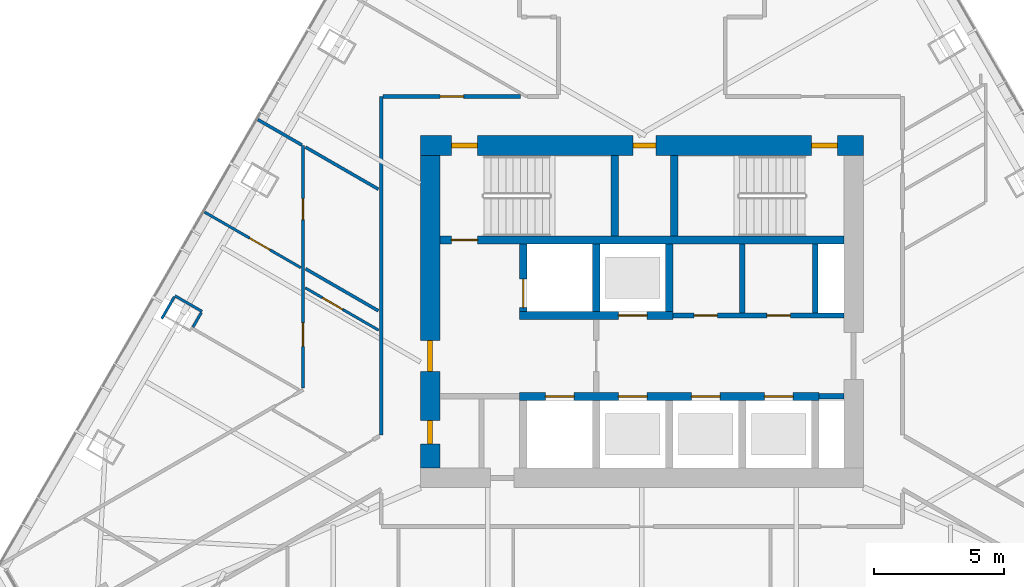
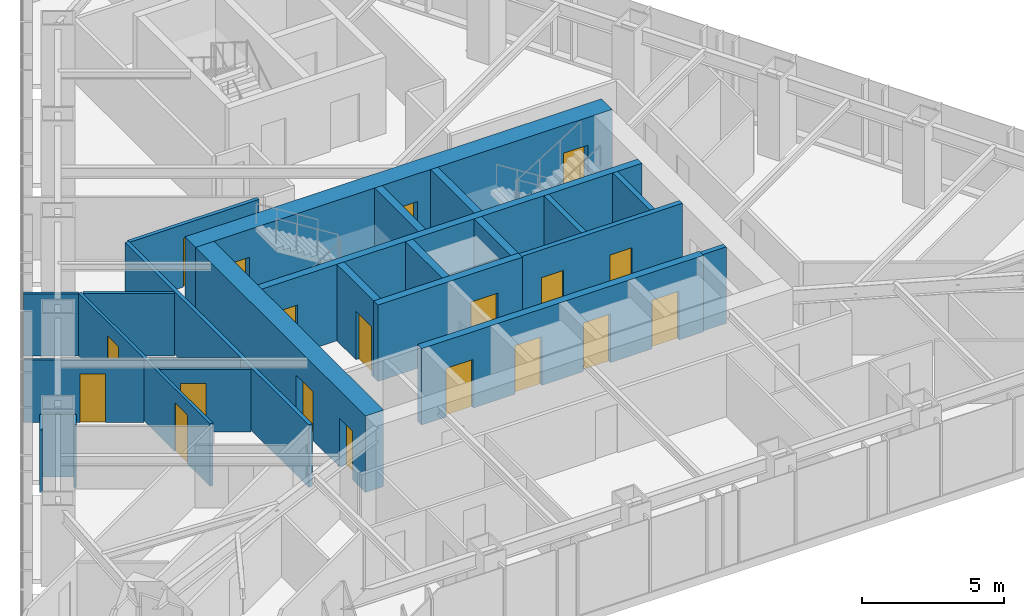
# One storey, part 11 of 15: 25 walls, 19 doors, 19 openings.
"""IFC4 building model written with IfcOpenShell, lengths in metres."""

from ifc_helpers import new_model, si_unit, direction, frame, frame_2d, origin, place, context, subcontext, project, spatial, rectangle, extrude, material, layer, layer_set, type_object, element, fill, save


model = new_model("IFC4")

# Units and contexts
model_context = context("Model", 3, precision=1e-05, world=origin(), true_north=direction((0.0, 1.0)))
body_context = subcontext(model_context, "Body", "Model", "MODEL_VIEW")
ifc_project = project(units=[si_unit("LENGTHUNIT", "METRE"), si_unit("AREAUNIT", "SQUARE_METRE"), si_unit("VOLUMEUNIT", "CUBIC_METRE"), si_unit("PLANEANGLEUNIT", "RADIAN"), si_unit("MASSUNIT", "GRAM", prefix="KILO")], contexts=[model_context])

# Site, building, storey
site_placement = place(None, origin())
site = spatial("IfcSite", under=ifc_project, at=site_placement, CompositionType="ELEMENT")
building_placement = place(site_placement, origin())
building = spatial("IfcBuilding", under=site, at=building_placement, Name="Firuza Gate Tower and Library", CompositionType="ELEMENT")
storey_placement = place(building_placement, frame((0.0, 0.0, 309.10009765625)))
storey = spatial("IfcBuildingStorey", under=building, at=storey_placement, Name="L75", CompositionType="ELEMENT", Elevation=309.10009765625)

# Wall
ifc_material_1 = material(Name="Plasterboard on steel studs", Category="steel")
ifc_layer_1 = layer(ifc_material_1, 0.199951171875)
ifc_layer_set_1 = layer_set([ifc_layer_1], Name="Core partition 200 EI 120")
wall_type_1 = type_object("IfcWallType", Name="Core partition 200 EI 120", PredefinedType="PARTITIONING", material=ifc_layer_set_1)
wall_1_placement = place(storey_placement, frame((81.800048828125, 71.75, 0.0), z_axis=(0.0, 0.0, 1.0), x_axis=(1.0, 0.0, 0.0)))
element("IfcWall", 1, at=wall_1_placement, inside=storey, type_object=wall_type_1, Name="Core partition L75 2", PredefinedType="PARTITIONING", context=body_context, shape_type="SweptSolid", body=[
    extrude(rectangle(XDim=0.949951171875, YDim=0.199951171875, at=frame_2d((0.47509765625, 0.0))), origin(), (0.0, 0.0, 1.0), 3.2998046875),
])

# Wall, openings, doors
wall_2_placement = place(storey_placement, frame((76.199951171875, 74.85009765625, 0.0), z_axis=(0.0, 0.0, 1.0), x_axis=(1.0, 0.0, 0.0)))
wall_2 = element("IfcWall", 2, at=wall_2_placement, inside=storey, type_object=wall_type_1, Name="Core partition L75 3", PredefinedType="PARTITIONING", context=body_context, shape_type="SweptSolid", body=[
    extrude(rectangle(XDim=6.550048828125, YDim=0.199951171875, at=frame_2d((3.27490234375, 0.0))), origin(), (0.0, 0.0, 1.0), 3.2998046875),
])
opening_1_placement = place(wall_2_placement, frame((0.800048828125, 0.0, 0.0)))
opening_1 = element("IfcOpeningElement", 3, at=opening_1_placement, cuts=wall_2, Name="Opening L75-K19", PredefinedType="OPENING", context=body_context, shape_type="SweptSolid", body=[
    extrude(rectangle(XDim=0.89990234375, YDim=2.10009765625, at=frame_2d((0.449951171875, 1.050048828125))), frame((0.0, 0.10986328125, 0.0), z_axis=(0.0, -1.0, 0.0), x_axis=(1.0, 0.0, 0.0)), (0.0, 0.0, 1.0), 0.219970703125),
])
opening_2_placement = place(wall_2_placement, frame((3.60009765625, 0.0, 0.0)))
opening_2 = element("IfcOpeningElement", 4, at=opening_2_placement, cuts=wall_2, Name="Opening L75-K20", PredefinedType="OPENING", context=body_context, shape_type="SweptSolid", body=[
    extrude(rectangle(XDim=0.89990234375, YDim=2.10009765625, at=frame_2d((0.449951171875, 1.050048828125))), frame((0.0, 0.10986328125, 0.0), z_axis=(0.0, -1.0, 0.0), x_axis=(1.0, 0.0, 0.0)), (0.0, 0.0, 1.0), 0.219970703125),
])
ifc_material_2 = material(Name="Steel", Category="steel")
door_type_1 = type_object("IfcDoorType", Name="Fire door 900x2100 FD30S", OperationType="NOTDEFINED", PredefinedType="DOOR", material=ifc_material_2)
door_1_placement = place(opening_1_placement, origin())
door_1 = element("IfcDoor", 5, at=door_1_placement, inside=storey, type_object=door_type_1, Name="Door L75-K19", OperationType="SINGLE_SWING_RIGHT", OverallHeight=2.10009765625, OverallWidth=0.89990234375, PredefinedType="DOOR", context=body_context, shape_type="SweptSolid", body=[
    extrude(rectangle(XDim=0.89990234375, YDim=2.10009765625, at=frame_2d((0.449951171875, 1.050048828125))), frame((0.0, 0.02490234375, 0.0), z_axis=(0.0, -1.0, 0.0), x_axis=(1.0, 0.0, 0.0)), (0.0, 0.0, 1.0), 0.050048828125),
])
fill(opening_1, door_1)
door_2_placement = place(opening_2_placement, origin())
door_2 = element("IfcDoor", 6, at=door_2_placement, inside=storey, type_object=door_type_1, Name="Door L75-K20", OperationType="SINGLE_SWING_LEFT", OverallHeight=2.10009765625, OverallWidth=0.89990234375, PredefinedType="DOOR", context=body_context, shape_type="SweptSolid", body=[
    extrude(rectangle(XDim=0.89990234375, YDim=2.10009765625, at=frame_2d((0.449951171875, 1.050048828125))), frame((0.0, 0.02490234375, 0.0), z_axis=(0.0, -1.0, 0.0), x_axis=(1.0, 0.0, 0.0)), (0.0, 0.0, 1.0), 0.050048828125),
])
fill(opening_2, door_2)

# Walls
for number, where, z_axis, x_axis, name in (
    (7, (78.85009765625, 74.949951171875, 0.0), (0.0, 0.0, 1.0), (0.0, 1.0, 0.0), "Core partition L75 6"),
    (8, (81.64990234375, 74.949951171875, 0.0), (0.0, 0.0, 1.0), (0.0, 1.0, 0.0), "Core partition L75 7"),
):
    element("IfcWall", number, at=place(storey_placement, frame(where, z_axis=z_axis, x_axis=x_axis)), inside=storey, type_object=wall_type_1, Name=name, PredefinedType="PARTITIONING", context=body_context, shape_type="SweptSolid", body=[
        extrude(rectangle(XDim=2.650146484375, YDim=0.199951171875, at=frame_2d((1.3251953125, 0.0))), origin(), (0.0, 0.0, 1.0), 3.2998046875),
    ])

# Wall, openings, doors
ifc_material_3 = material(Name="Concrete C60/75", Category="concrete")
ifc_layer_2 = layer(ifc_material_3, 0.300048828125)
ifc_layer_set_2 = layer_set([ifc_layer_2], Name="Core wall 300 C60/75")
wall_type_2 = type_object("IfcWallType", Name="Core wall 300 C60/75", PredefinedType="SHEAR", material=ifc_layer_set_2)
wall_3_placement = place(storey_placement, frame((70.300048828125, 71.75, 0.0), z_axis=(0.0, 0.0, 1.0), x_axis=(1.0, 0.0, 0.0)))
wall_3 = element("IfcWall", 9, at=wall_3_placement, inside=storey, type_object=wall_type_2, Name="Core wall L75 5", PredefinedType="SHEAR", context=body_context, shape_type="SweptSolid", body=[
    extrude(rectangle(XDim=11.5, YDim=0.300048828125, at=frame_2d((5.75, 0.0))), origin(), (0.0, 0.0, 1.0), 3.2998046875),
])
opening_3_placement = place(wall_3_placement, frame((1.0, 0.0, 0.0)))
opening_3 = element("IfcOpeningElement", 10, at=opening_3_placement, cuts=wall_3, Name="Opening LD-FF1-L75", PredefinedType="OPENING", context=body_context, shape_type="SweptSolid", body=[
    extrude(rectangle(XDim=1.10009765625, YDim=2.10009765625, at=frame_2d((0.550048828125, 1.050048828125))), frame((0.0, 0.16015625, 0.0), z_axis=(0.0, -1.0, 0.0), x_axis=(1.0, 0.0, 0.0)), (0.0, 0.0, 1.0), 0.320068359375),
])
opening_4_placement = place(wall_3_placement, frame((3.800048828125, 0.0, 0.0)))
opening_4 = element("IfcOpeningElement", 11, at=opening_4_placement, cuts=wall_3, Name="Opening LD-HR1-L75", PredefinedType="OPENING", context=body_context, shape_type="SweptSolid", body=[
    extrude(rectangle(XDim=1.10009765625, YDim=2.10009765625, at=frame_2d((0.550048828125, 1.050048828125))), frame((0.0, 0.16015625, 0.0), z_axis=(0.0, -1.0, 0.0), x_axis=(1.0, 0.0, 0.0)), (0.0, 0.0, 1.0), 0.320068359375),
])
opening_5_placement = place(wall_3_placement, frame((6.60009765625, 0.0, 0.0)))
opening_5 = element("IfcOpeningElement", 12, at=opening_5_placement, cuts=wall_3, Name="Opening LD-HR2-L75", PredefinedType="OPENING", context=body_context, shape_type="SweptSolid", body=[
    extrude(rectangle(XDim=1.10009765625, YDim=2.10009765625, at=frame_2d((0.550048828125, 1.050048828125))), frame((0.0, 0.16015625, 0.0), z_axis=(0.0, -1.0, 0.0), x_axis=(1.0, 0.0, 0.0)), (0.0, 0.0, 1.0), 0.320068359375),
])
opening_6_placement = place(wall_3_placement, frame((9.39990234375, 0.0, 0.0)))
opening_6 = element("IfcOpeningElement", 13, at=opening_6_placement, cuts=wall_3, Name="Opening LD-HR3-L75", PredefinedType="OPENING", context=body_context, shape_type="SweptSolid", body=[
    extrude(rectangle(XDim=1.10009765625, YDim=2.10009765625, at=frame_2d((0.550048828125, 1.050048828125))), frame((0.0, 0.16015625, 0.0), z_axis=(0.0, -1.0, 0.0), x_axis=(1.0, 0.0, 0.0)), (0.0, 0.0, 1.0), 0.320068359375),
])
ifc_material_4 = material(Name="Stainless steel", Category="steel")
door_type_2 = type_object("IfcDoorType", Name="Lift landing door 1100x2100", OperationType="DOUBLE_DOOR_SLIDING", PredefinedType="DOOR", material=ifc_material_4)
door_3_placement = place(opening_3_placement, origin())
door_3 = element("IfcDoor", 14, at=door_3_placement, inside=storey, type_object=door_type_2, Name="Landing door FF1 L75", OperationType="DOUBLE_DOOR_SLIDING", OverallHeight=2.10009765625, OverallWidth=1.10009765625, PredefinedType="DOOR", context=body_context, shape_type="SweptSolid", body=[
    extrude(rectangle(XDim=1.10009765625, YDim=2.10009765625, at=frame_2d((0.550048828125, 1.050048828125))), frame((0.0, 0.02490234375, 0.0), z_axis=(0.0, -1.0, 0.0), x_axis=(1.0, 0.0, 0.0)), (0.0, 0.0, 1.0), 0.050048828125),
])
fill(opening_3, door_3)
door_4_placement = place(opening_4_placement, origin())
door_4 = element("IfcDoor", 15, at=door_4_placement, inside=storey, type_object=door_type_2, Name="Landing door HR1 L75", OperationType="DOUBLE_DOOR_SLIDING", OverallHeight=2.10009765625, OverallWidth=1.10009765625, PredefinedType="DOOR", context=body_context, shape_type="SweptSolid", body=[
    extrude(rectangle(XDim=1.10009765625, YDim=2.10009765625, at=frame_2d((0.550048828125, 1.050048828125))), frame((0.0, 0.02490234375, 0.0), z_axis=(0.0, -1.0, 0.0), x_axis=(1.0, 0.0, 0.0)), (0.0, 0.0, 1.0), 0.050048828125),
])
fill(opening_4, door_4)
door_5_placement = place(opening_5_placement, origin())
door_5 = element("IfcDoor", 16, at=door_5_placement, inside=storey, type_object=door_type_2, Name="Landing door HR2 L75", OperationType="DOUBLE_DOOR_SLIDING", OverallHeight=2.10009765625, OverallWidth=1.10009765625, PredefinedType="DOOR", context=body_context, shape_type="SweptSolid", body=[
    extrude(rectangle(XDim=1.10009765625, YDim=2.10009765625, at=frame_2d((0.550048828125, 1.050048828125))), frame((0.0, 0.02490234375, 0.0), z_axis=(0.0, -1.0, 0.0), x_axis=(1.0, 0.0, 0.0)), (0.0, 0.0, 1.0), 0.050048828125),
])
fill(opening_5, door_5)
door_6_placement = place(opening_6_placement, origin())
door_6 = element("IfcDoor", 17, at=door_6_placement, inside=storey, type_object=door_type_2, Name="Landing door HR3 L75", OperationType="DOUBLE_DOOR_SLIDING", OverallHeight=2.10009765625, OverallWidth=1.10009765625, PredefinedType="DOOR", context=body_context, shape_type="SweptSolid", body=[
    extrude(rectangle(XDim=1.10009765625, YDim=2.10009765625, at=frame_2d((0.550048828125, 1.050048828125))), frame((0.0, 0.02490234375, 0.0), z_axis=(0.0, -1.0, 0.0), x_axis=(1.0, 0.0, 0.0)), (0.0, 0.0, 1.0), 0.050048828125),
])
fill(opening_6, door_6)

# Wall, opening, door
wall_4_placement = place(storey_placement, frame((70.300048828125, 74.85009765625, 0.0), z_axis=(0.0, 0.0, 1.0), x_axis=(1.0, 0.0, 0.0)))
wall_4 = element("IfcWall", 18, at=wall_4_placement, inside=storey, type_object=wall_type_2, Name="Core wall L75 6", PredefinedType="SHEAR", context=body_context, shape_type="SweptSolid", body=[
    extrude(rectangle(XDim=5.89990234375, YDim=0.300048828125, at=frame_2d((2.949951171875, 0.0))), origin(), (0.0, 0.0, 1.0), 3.2998046875),
])
opening_7_placement = place(wall_4_placement, frame((3.800048828125, 0.0, 0.0)))
opening_7 = element("IfcOpeningElement", 19, at=opening_7_placement, cuts=wall_4, Name="Opening LD-HR4-L75", PredefinedType="OPENING", context=body_context, shape_type="SweptSolid", body=[
    extrude(rectangle(XDim=1.10009765625, YDim=2.10009765625, at=frame_2d((0.550048828125, 1.050048828125))), frame((0.0, 0.16015625, 0.0), z_axis=(0.0, -1.0, 0.0), x_axis=(1.0, 0.0, 0.0)), (0.0, 0.0, 1.0), 0.320068359375),
])
door_7_placement = place(opening_7_placement, origin())
door_7 = element("IfcDoor", 20, at=door_7_placement, inside=storey, type_object=door_type_2, Name="Landing door HR4 L75", OperationType="DOUBLE_DOOR_SLIDING", OverallHeight=2.10009765625, OverallWidth=1.10009765625, PredefinedType="DOOR", context=body_context, shape_type="SweptSolid", body=[
    extrude(rectangle(XDim=1.10009765625, YDim=2.10009765625, at=frame_2d((0.550048828125, 1.050048828125))), frame((0.0, 0.02490234375, 0.0), z_axis=(0.0, -1.0, 0.0), x_axis=(1.0, 0.0, 0.0)), (0.0, 0.0, 1.0), 0.050048828125),
])
fill(opening_7, door_7)

wall_5_placement = place(storey_placement, frame((70.449951171875, 75.0, 0.0), z_axis=(0.0, 0.0, 1.0), x_axis=(0.0, 1.0, 0.0)))
wall_5 = element("IfcWall", 21, at=wall_5_placement, inside=storey, type_object=wall_type_2, Name="Core wall L75 8", PredefinedType="SHEAR", context=body_context, shape_type="SweptSolid", body=[
    extrude(rectangle(XDim=2.60009765625, YDim=0.300048828125, at=frame_2d((1.300048828125, 0.0))), origin(), (0.0, 0.0, 1.0), 3.2998046875),
])
opening_8_placement = place(wall_5_placement, frame((0.14990234375, 0.0, 0.0)))
opening_8 = element("IfcOpeningElement", 22, at=opening_8_placement, cuts=wall_5, Name="Opening LD-FF2-L75", PredefinedType="OPENING", context=body_context, shape_type="SweptSolid", body=[
    extrude(rectangle(XDim=1.10009765625, YDim=2.10009765625, at=frame_2d((0.550048828125, 1.050048828125))), frame((0.0, 0.16015625, 0.0), z_axis=(0.0, -1.0, 0.0), x_axis=(1.0, 0.0, 0.0)), (0.0, 0.0, 1.0), 0.320068359375),
])
door_8_placement = place(opening_8_placement, origin())
door_8 = element("IfcDoor", 23, at=door_8_placement, inside=storey, type_object=door_type_2, Name="Landing door FF2 L75", OperationType="DOUBLE_DOOR_SLIDING", OverallHeight=2.10009765625, OverallWidth=1.10009765625, PredefinedType="DOOR", context=body_context, shape_type="SweptSolid", body=[
    extrude(rectangle(XDim=1.10009765625, YDim=2.10009765625, at=frame_2d((0.550048828125, 1.050048828125))), frame((0.0, 0.02490234375, 0.0), z_axis=(0.0, -1.0, 0.0), x_axis=(1.0, 0.0, 0.0)), (0.0, 0.0, 1.0), 0.050048828125),
])
fill(opening_8, door_8)

# Walls
for number, where, z_axis, x_axis, name in (
    (24, (73.25, 75.0, 0.0), (0.0, 0.0, 1.0), (0.0, 1.0, 0.0), "Core wall L75 10"),
    (25, (76.050048828125, 75.0, 0.0), (0.0, 0.0, 1.0), (0.0, 1.0, 0.0), "Core wall L75 12"),
):
    element("IfcWall", number, at=place(storey_placement, frame(where, z_axis=z_axis, x_axis=x_axis)), inside=storey, type_object=wall_type_2, Name=name, PredefinedType="SHEAR", context=body_context, shape_type="SweptSolid", body=[
        extrude(rectangle(XDim=2.60009765625, YDim=0.300048828125, at=frame_2d((1.300048828125, 0.0))), origin(), (0.0, 0.0, 1.0), 3.2998046875),
    ])

# Wall, opening, door
wall_6_placement = place(storey_placement, frame((67.25, 77.75, 0.0), z_axis=(0.0, 0.0, 1.0), x_axis=(1.0, 0.0, 0.0)))
wall_6 = element("IfcWall", 26, at=wall_6_placement, inside=storey, type_object=wall_type_2, Name="Core wall L75 15", PredefinedType="SHEAR", context=body_context, shape_type="SweptSolid", body=[
    extrude(rectangle(XDim=15.5, YDim=0.300048828125, at=frame_2d((7.75, 0.0))), origin(), (0.0, 0.0, 1.0), 3.2998046875),
])
opening_9_placement = place(wall_6_placement, frame((0.445068359375, 0.0, 0.0)))
opening_9 = element("IfcOpeningElement", 27, at=opening_9_placement, cuts=wall_6, Name="Opening L75-K08", PredefinedType="OPENING", context=body_context, shape_type="SweptSolid", body=[
    extrude(rectangle(XDim=1.0, YDim=2.10009765625, at=frame_2d((0.5, 1.050048828125))), frame((0.0, 0.16015625, 0.0), z_axis=(0.0, -1.0, 0.0), x_axis=(1.0, 0.0, 0.0)), (0.0, 0.0, 1.0), 0.320068359375),
])
ifc_material_5 = material(Name="Steel", Category="steel")
door_type_3 = type_object("IfcDoorType", Name="Fire door 1000x2100 FD90", OperationType="NOTDEFINED", PredefinedType="DOOR", material=ifc_material_5)
door_9_placement = place(opening_9_placement, origin())
door_9 = element("IfcDoor", 28, at=door_9_placement, inside=storey, type_object=door_type_3, Name="Door L75-K08", OperationType="SINGLE_SWING_LEFT", OverallHeight=2.10009765625, OverallWidth=1.0, PredefinedType="DOOR", context=body_context, shape_type="SweptSolid", body=[
    extrude(rectangle(XDim=1.0, YDim=2.10009765625, at=frame_2d((0.5, 1.050048828125))), frame((0.0, 0.02490234375, 0.0), z_axis=(0.0, -1.0, 0.0), x_axis=(1.0, 0.0, 0.0)), (0.0, 0.0, 1.0), 0.050048828125),
])
fill(opening_9, door_9)

# Walls
for number, where, z_axis, x_axis, name in (
    (29, (73.9599609375, 77.89990234375, 0.0), (0.0, 0.0, 1.0), (0.0, 1.0, 0.0), "Core wall L75 16"),
    (30, (76.239990234375, 77.89990234375, 0.0), (0.0, 0.0, 1.0), (0.0, 1.0, 0.0), "Core wall L75 17"),
):
    element("IfcWall", number, at=place(storey_placement, frame(where, z_axis=z_axis, x_axis=x_axis)), inside=storey, type_object=wall_type_2, Name=name, PredefinedType="SHEAR", context=body_context, shape_type="SweptSolid", body=[
        extrude(rectangle(XDim=3.10009765625, YDim=0.300048828125, at=frame_2d((1.550048828125, 0.0))), origin(), (0.0, 0.0, 1.0), 3.2998046875),
    ])

# Wall, openings, doors
ifc_material_6 = material(Name="Concrete C60/75", Category="concrete")
ifc_layer_3 = layer(ifc_material_6, 0.75)
ifc_layer_set_3 = layer_set([ifc_layer_3], Name="Core wall 750 C60/75")
wall_type_3 = type_object("IfcWallType", Name="Core wall 750 C60/75", PredefinedType="SHEAR", material=ifc_layer_set_3)
wall_7_placement = place(storey_placement, frame((66.5, 81.375, 0.0), z_axis=(0.0, 0.0, 1.0), x_axis=(1.0, 0.0, 0.0)))
wall_7 = element("IfcWall", 31, at=wall_7_placement, inside=storey, type_object=wall_type_3, Name="Core wall L75 2", PredefinedType="SHEAR", context=body_context, shape_type="SweptSolid", body=[
    extrude(rectangle(XDim=17.0, YDim=0.75, at=frame_2d((8.5, 0.0))), origin(), (0.0, 0.0, 1.0), 3.2998046875),
])
opening_10_placement = place(wall_7_placement, frame((1.195068359375, 0.0, 0.0)))
opening_10 = element("IfcOpeningElement", 32, at=opening_10_placement, cuts=wall_7, Name="Opening L75-K09", PredefinedType="OPENING", context=body_context, shape_type="SweptSolid", body=[
    extrude(rectangle(XDim=1.0, YDim=2.10009765625, at=frame_2d((0.5, 1.050048828125))), frame((0.0, 0.385009765625, 0.0), z_axis=(0.0, -1.0, 0.0), x_axis=(1.0, 0.0, 0.0)), (0.0, 0.0, 1.0), 0.77001953125),
])
opening_11_placement = place(wall_7_placement, frame((15.0048828125, 0.0, 0.0)))
opening_11 = element("IfcOpeningElement", 33, at=opening_11_placement, cuts=wall_7, Name="Opening L75-K10", PredefinedType="OPENING", context=body_context, shape_type="SweptSolid", body=[
    extrude(rectangle(XDim=1.0, YDim=2.10009765625, at=frame_2d((0.5, 1.050048828125))), frame((0.0, 0.385009765625, 0.0), z_axis=(0.0, -1.0, 0.0), x_axis=(1.0, 0.0, 0.0)), (0.0, 0.0, 1.0), 0.77001953125),
])
opening_12_placement = place(wall_7_placement, frame((8.14990234375, 0.0, 0.0)))
opening_12 = element("IfcOpeningElement", 34, at=opening_12_placement, cuts=wall_7, Name="Opening L75-K21", PredefinedType="OPENING", context=body_context, shape_type="SweptSolid", body=[
    extrude(rectangle(XDim=0.89990234375, YDim=2.10009765625, at=frame_2d((0.449951171875, 1.050048828125))), frame((0.0, 0.385009765625, 0.0), z_axis=(0.0, -1.0, 0.0), x_axis=(1.0, 0.0, 0.0)), (0.0, 0.0, 1.0), 0.77001953125),
])
door_10_placement = place(opening_10_placement, origin())
door_10 = element("IfcDoor", 35, at=door_10_placement, inside=storey, type_object=door_type_3, Name="Door L75-K09", OperationType="SINGLE_SWING_RIGHT", OverallHeight=2.10009765625, OverallWidth=1.0, PredefinedType="DOOR", context=body_context, shape_type="SweptSolid", body=[
    extrude(rectangle(XDim=1.0, YDim=2.10009765625, at=frame_2d((0.5, 1.050048828125))), frame((0.0, 0.094970703125, 0.0), z_axis=(0.0, -1.0, 0.0), x_axis=(1.0, 0.0, 0.0)), (0.0, 0.0, 1.0), 0.18994140625),
])
fill(opening_10, door_10)
door_11_placement = place(opening_11_placement, origin())
door_11 = element("IfcDoor", 36, at=door_11_placement, inside=storey, type_object=door_type_3, Name="Door L75-K10", OperationType="SINGLE_SWING_LEFT", OverallHeight=2.10009765625, OverallWidth=1.0, PredefinedType="DOOR", context=body_context, shape_type="SweptSolid", body=[
    extrude(rectangle(XDim=1.0, YDim=2.10009765625, at=frame_2d((0.5, 1.050048828125))), frame((0.0, 0.094970703125, 0.0), z_axis=(0.0, -1.0, 0.0), x_axis=(1.0, 0.0, 0.0)), (0.0, 0.0, 1.0), 0.18994140625),
])
fill(opening_11, door_11)
door_12_placement = place(opening_12_placement, origin())
door_12 = element("IfcDoor", 37, at=door_12_placement, inside=storey, type_object=door_type_1, Name="Door L75-K21", OperationType="SINGLE_SWING_RIGHT", OverallHeight=2.10009765625, OverallWidth=0.89990234375, PredefinedType="DOOR", context=body_context, shape_type="SweptSolid", body=[
    extrude(rectangle(XDim=0.89990234375, YDim=2.10009765625, at=frame_2d((0.449951171875, 1.050048828125))), frame((0.0, 0.094970703125, 0.0), z_axis=(0.0, -1.0, 0.0), x_axis=(1.0, 0.0, 0.0)), (0.0, 0.0, 1.0), 0.18994140625),
])
fill(opening_12, door_12)

wall_8_placement = place(storey_placement, frame((66.875, 69.0, 0.0), z_axis=(0.0, 0.0, 1.0), x_axis=(0.0, 1.0, 0.0)))
wall_8 = element("IfcWall", 38, at=wall_8_placement, inside=storey, type_object=wall_type_3, Name="Core wall L75 3", PredefinedType="SHEAR", context=body_context, shape_type="SweptSolid", body=[
    extrude(rectangle(XDim=12.0, YDim=0.75, at=frame_2d((6.0, 0.0))), origin(), (0.0, 0.0, 1.0), 3.2998046875),
])
opening_13_placement = place(wall_8_placement, frame((3.699951171875, 0.0, 0.0)))
opening_13 = element("IfcOpeningElement", 39, at=opening_13_placement, cuts=wall_8, Name="Opening L75-K15", PredefinedType="OPENING", context=body_context, shape_type="SweptSolid", body=[
    extrude(rectangle(XDim=1.199951171875, YDim=2.10009765625, at=frame_2d((0.60009765625, 1.050048828125))), frame((0.0, 0.385009765625, 0.0), z_axis=(0.0, -1.0, 0.0), x_axis=(1.0, 0.0, 0.0)), (0.0, 0.0, 1.0), 0.77001953125),
])
opening_14_placement = place(wall_8_placement, frame((0.925048828125, 0.0, 0.0)))
opening_14 = element("IfcOpeningElement", 40, at=opening_14_placement, cuts=wall_8, Name="Opening L75-K17", PredefinedType="OPENING", context=body_context, shape_type="SweptSolid", body=[
    extrude(rectangle(XDim=0.89990234375, YDim=2.10009765625, at=frame_2d((0.449951171875, 1.050048828125))), frame((0.0, 0.385009765625, 0.0), z_axis=(0.0, -1.0, 0.0), x_axis=(1.0, 0.0, 0.0)), (0.0, 0.0, 1.0), 0.77001953125),
])
ifc_material_7 = material(Name="Steel", Category="steel")
door_type_4 = type_object("IfcDoorType", Name="Fire door 1200x2100 FD90S", OperationType="NOTDEFINED", PredefinedType="DOOR", material=ifc_material_7)
door_13_placement = place(opening_13_placement, origin())
door_13 = element("IfcDoor", 41, at=door_13_placement, inside=storey, type_object=door_type_4, Name="Door L75-K15", OperationType="SINGLE_SWING_RIGHT", OverallHeight=2.10009765625, OverallWidth=1.199951171875, PredefinedType="DOOR", context=body_context, shape_type="SweptSolid", body=[
    extrude(rectangle(XDim=1.199951171875, YDim=2.10009765625, at=frame_2d((0.60009765625, 1.050048828125))), frame((0.0, 0.094970703125, 0.0), z_axis=(0.0, -1.0, 0.0), x_axis=(1.0, 0.0, 0.0)), (0.0, 0.0, 1.0), 0.18994140625),
])
fill(opening_13, door_13)
door_14_placement = place(opening_14_placement, origin())
door_14 = element("IfcDoor", 42, at=door_14_placement, inside=storey, type_object=door_type_1, Name="Door L75-K17", OperationType="SINGLE_SWING_RIGHT", OverallHeight=2.10009765625, OverallWidth=0.89990234375, PredefinedType="DOOR", context=body_context, shape_type="SweptSolid", body=[
    extrude(rectangle(XDim=0.89990234375, YDim=2.10009765625, at=frame_2d((0.449951171875, 1.050048828125))), frame((0.0, 0.094970703125, 0.0), z_axis=(0.0, -1.0, 0.0), x_axis=(1.0, 0.0, 0.0)), (0.0, 0.0, 1.0), 0.18994140625),
])
fill(opening_14, door_14)

# Wall, opening, door
ifc_material_8 = material(Name="Gypsum board partition")
ifc_layer_4 = layer(ifc_material_8, 0.14990234375)
ifc_layer_set_4 = layer_set([ifc_layer_4], Name="Corridor wall 150 double board on steel studs")
wall_type_4 = type_object("IfcWallType", Name="Corridor wall 150 double board on steel studs", PredefinedType="PARTITIONING", material=ifc_layer_set_4)
wall_9_placement = place(storey_placement, frame((65.075439453125, 83.25, 0.0), z_axis=(0.0, 0.0, 1.0), x_axis=(1.0, 0.0, 0.0)))
wall_9 = element("IfcWall", 43, at=wall_9_placement, inside=storey, type_object=wall_type_4, Name="f:L75:w005", PredefinedType="PARTITIONING", context=body_context, shape_type="SweptSolid", body=[
    extrude(rectangle(XDim=5.271484375, YDim=0.14990234375, at=frame_2d((2.6357421875, 0.0))), origin(), (0.0, 0.0, 1.0), 2.699951171875),
])
opening_15_placement = place(wall_9_placement, frame((2.185791015625, 0.0, 0.0)))
opening_15 = element("IfcOpeningElement", 44, at=opening_15_placement, cuts=wall_9, Name="Opening L75-06", PredefinedType="OPENING", context=body_context, shape_type="SweptSolid", body=[
    extrude(rectangle(XDim=0.89990234375, YDim=2.10009765625, at=frame_2d((0.449951171875, 1.050048828125))), frame((0.0, 0.0849609375, 0.0), z_axis=(0.0, -1.0, 0.0), x_axis=(1.0, 0.0, 0.0)), (0.0, 0.0, 1.0), 0.169921875),
])
ifc_material_9 = material(Name="Steel door and timber leaf", Category="steel")
door_type_5 = type_object("IfcDoorType", Name="Fire door 900 x 2100 steel frame, timber leaf", OperationType="NOTDEFINED", PredefinedType="DOOR", material=ifc_material_9)
door_15_placement = place(opening_15_placement, origin())
door_15 = element("IfcDoor", 45, at=door_15_placement, inside=storey, type_object=door_type_5, Name="f:L75:d006", OperationType="SINGLE_SWING_RIGHT", OverallHeight=2.10009765625, OverallWidth=0.89990234375, PredefinedType="DOOR", context=body_context, shape_type="SweptSolid", body=[
    extrude(rectangle(XDim=0.89990234375, YDim=2.10009765625, at=frame_2d((0.449951171875, 1.050048828125))), frame((0.0, 0.02490234375, 0.0), z_axis=(0.0, -1.0, 0.0), x_axis=(1.0, 0.0, 0.0)), (0.0, 0.0, 1.0), 0.050048828125),
])
fill(opening_15, door_15)

# Walls
wall_10_placement = place(storey_placement, frame((65.0, 70.265625, 0.0), z_axis=(0.0, 0.0, 1.0), x_axis=(0.0, 1.0, 0.0)))
element("IfcWall", 46, at=wall_10_placement, inside=storey, type_object=wall_type_4, Name="f:L75:w046", PredefinedType="PARTITIONING", context=body_context, shape_type="SweptSolid", body=[
    extrude(rectangle(XDim=12.98388671875, YDim=0.14990234375, at=frame_2d((6.491943359375, 0.0))), origin(), (0.0, 0.0, 1.0), 2.699951171875),
])
ifc_material_10 = material(Name="Gypsum board partition")
ifc_layer_5 = layer(ifc_material_10, 0.10009765625)
ifc_layer_set_5 = layer_set([ifc_layer_5], Name="Partition 100 gypsum board on steel studs")
wall_type_5 = type_object("IfcWallType", Name="Partition 100 gypsum board on steel studs", PredefinedType="PARTITIONING", material=ifc_layer_set_5)
wall_11_placement = place(storey_placement, frame((57.775634765625, 74.406494140625, 0.0), z_axis=(0.0, 0.0, 1.0), x_axis=(0.500246099629, 0.865883271467, 0.0)))
element("IfcWall", 47, at=wall_11_placement, inside=storey, type_object=wall_type_5, Name="f:L75:w024", PredefinedType="PARTITIONING", context=body_context, shape_type="SweptSolid", body=[
    extrude(rectangle(XDim=0.645751953125, YDim=0.10009765625, at=frame_2d((0.32275390625, 0.0))), origin(), (0.0, 0.0, 1.0), 2.699951171875),
])
wall_12_placement = place(storey_placement, frame((56.576171875, 74.72900390625, 0.0), z_axis=(0.0, 0.0, 1.0), x_axis=(0.500079715141, 0.865979375335, 0.0)))
element("IfcWall", 48, at=wall_12_placement, inside=storey, type_object=wall_type_5, Name="f:L75:w025", PredefinedType="PARTITIONING", context=body_context, shape_type="SweptSolid", body=[
    extrude(rectangle(XDim=0.966064453125, YDim=0.10009765625, at=frame_2d((0.48291015625, 0.0))), origin(), (0.0, 0.0, 1.0), 2.699951171875),
])

# Wall, opening, door
wall_13_placement = place(storey_placement, frame((58.221923828125, 78.81884765625, 0.0), z_axis=(0.0, 0.0, 1.0), x_axis=(0.866017735387, -0.500013281819, 0.0)))
wall_13 = element("IfcWall", 49, at=wall_13_placement, inside=storey, type_object=wall_type_5, Name="f:L75:w059", PredefinedType="PARTITIONING", context=body_context, shape_type="SweptSolid", body=[
    extrude(rectangle(XDim=4.26318359375, YDim=0.10009765625, at=frame_2d((2.131591796875, 0.0))), origin(), (0.0, 0.0, 1.0), 2.68798828125),
])
opening_16_placement = place(wall_13_placement, frame((1.991455078125, 0.0, 0.0)))
opening_16 = element("IfcOpeningElement", 50, at=opening_16_placement, cuts=wall_13, Name="Opening L75-25", PredefinedType="OPENING", context=body_context, shape_type="SweptSolid", body=[
    extrude(rectangle(XDim=0.89990234375, YDim=2.10009765625, at=frame_2d((0.449951171875, 1.050048828125))), frame((0.0, 0.06005859375, 0.0), z_axis=(0.0, -1.0, 0.0), x_axis=(1.0, 0.0, 0.0)), (0.0, 0.0, 1.0), 0.1201171875),
])
ifc_material_11 = material(Name="Timber door", Category="wood")
door_type_6 = type_object("IfcDoorType", Name="Door 900 x 2100 timber leaf", OperationType="NOTDEFINED", PredefinedType="DOOR", material=ifc_material_11)
door_16_placement = place(opening_16_placement, origin())
door_16 = element("IfcDoor", 51, at=door_16_placement, inside=storey, type_object=door_type_6, Name="f:L75:d025", OperationType="SINGLE_SWING_LEFT", OverallHeight=2.10009765625, OverallWidth=0.89990234375, PredefinedType="DOOR", context=body_context, shape_type="SweptSolid", body=[
    extrude(rectangle(XDim=0.89990234375, YDim=2.10009765625, at=frame_2d((0.449951171875, 1.050048828125))), frame((0.0, 0.02490234375, 0.0), z_axis=(0.0, -1.0, 0.0), x_axis=(1.0, 0.0, 0.0)), (0.0, 0.0, 1.0), 0.050048828125),
])
fill(opening_16, door_16)

wall_14_placement = place(storey_placement, frame((62.0859375, 75.912353515625, 0.0), z_axis=(0.0, 0.0, 1.0), x_axis=(0.866032882975, -0.499987045439, 0.0)))
wall_14 = element("IfcWall", 52, at=wall_14_placement, inside=storey, type_object=wall_type_5, Name="f:L75:w060", PredefinedType="PARTITIONING", context=body_context, shape_type="SweptSolid", body=[
    extrude(rectangle(XDim=3.248046875, YDim=0.10009765625, at=frame_2d((1.6240234375, 0.0))), origin(), (0.0, 0.0, 1.0), 2.699951171875),
])
opening_17_placement = place(wall_14_placement, frame((0.75439453125, 0.0, 0.0)))
opening_17 = element("IfcOpeningElement", 53, at=opening_17_placement, cuts=wall_14, Name="Opening L75-26", PredefinedType="OPENING", context=body_context, shape_type="SweptSolid", body=[
    extrude(rectangle(XDim=0.89990234375, YDim=2.10009765625, at=frame_2d((0.449951171875, 1.050048828125))), frame((0.0, 0.06005859375, 0.0), z_axis=(0.0, -1.0, 0.0), x_axis=(1.0, 0.0, 0.0)), (0.0, 0.0, 1.0), 0.1201171875),
])
door_17_placement = place(opening_17_placement, origin())
door_17 = element("IfcDoor", 54, at=door_17_placement, inside=storey, type_object=door_type_6, Name="f:L75:d026", OperationType="SINGLE_SWING_LEFT", OverallHeight=2.10009765625, OverallWidth=0.89990234375, PredefinedType="DOOR", context=body_context, shape_type="SweptSolid", body=[
    extrude(rectangle(XDim=0.89990234375, YDim=2.10009765625, at=frame_2d((0.449951171875, 1.050048828125))), frame((0.0, 0.02490234375, 0.0), z_axis=(0.0, -1.0, 0.0), x_axis=(1.0, 0.0, 0.0)), (0.0, 0.0, 1.0), 0.050048828125),
])
fill(opening_17, door_17)

# Wall
wall_15_placement = place(storey_placement, frame((58.12353515625, 75.009521484375, 0.0), z_axis=(0.0, 0.0, 1.0), x_axis=(-0.865978732077, 0.500080829057, 0.0)))
element("IfcWall", 55, at=wall_15_placement, inside=storey, type_object=wall_type_5, Name="f:L75:w061", PredefinedType="PARTITIONING", context=body_context, shape_type="SweptSolid", body=[
    extrude(rectangle(XDim=1.198974609375, YDim=0.10009765625, at=frame_2d((0.599609375, 0.0))), origin(), (0.0, 0.0, 1.0), 2.68798828125),
])

# Wall, openings, doors
ifc_material_12 = material(Name="Gypsum board partition")
ifc_layer_6 = layer(ifc_material_12, 0.1201171875)
ifc_layer_set_6 = layer_set([ifc_layer_6], Name="Wet-area partition 120 moisture-resistant board")
wall_type_6 = type_object("IfcWallType", Name="Wet-area partition 120 moisture-resistant board", PredefinedType="PARTITIONING", material=ifc_layer_set_6)
wall_16_placement = place(storey_placement, frame((62.0, 81.3662109375, 0.0), z_axis=(0.0, 0.0, 1.0), x_axis=(0.0, -1.0, 0.0)))
wall_16 = element("IfcWall", 56, at=wall_16_placement, inside=storey, type_object=wall_type_6, Name="f:L75:w047", PredefinedType="PARTITIONING", context=body_context, shape_type="SweptSolid", body=[
    extrude(rectangle(XDim=9.299072265625, YDim=0.1201171875, at=frame_2d((4.6494140625, 0.0))), origin(), (0.0, 0.0, 1.0), 2.699951171875),
])
opening_18_placement = place(wall_16_placement, frame((2.033447265625, 0.0, 0.0)))
opening_18 = element("IfcOpeningElement", 57, at=opening_18_placement, cuts=wall_16, Name="Opening L75-20", PredefinedType="OPENING", context=body_context, shape_type="SweptSolid", body=[
    extrude(rectangle(XDim=0.800048828125, YDim=2.10009765625, at=frame_2d((0.39990234375, 1.050048828125))), frame((0.0, 0.070068359375, 0.0), z_axis=(0.0, -1.0, 0.0), x_axis=(1.0, 0.0, 0.0)), (0.0, 0.0, 1.0), 0.14013671875),
])
opening_19_placement = place(wall_16_placement, frame((6.80029296875, 0.0, 0.0)))
opening_19 = element("IfcOpeningElement", 58, at=opening_19_placement, cuts=wall_16, Name="Opening L75-21", PredefinedType="OPENING", context=body_context, shape_type="SweptSolid", body=[
    extrude(rectangle(XDim=0.89990234375, YDim=2.10009765625, at=frame_2d((0.449951171875, 1.050048828125))), frame((0.0, 0.070068359375, 0.0), z_axis=(0.0, -1.0, 0.0), x_axis=(1.0, 0.0, 0.0)), (0.0, 0.0, 1.0), 0.14013671875),
])
ifc_material_13 = material(Name="Timber door", Category="wood")
door_type_7 = type_object("IfcDoorType", Name="Door 800 x 2100 timber leaf", OperationType="NOTDEFINED", PredefinedType="DOOR", material=ifc_material_13)
door_18_placement = place(opening_18_placement, origin())
door_18 = element("IfcDoor", 59, at=door_18_placement, inside=storey, type_object=door_type_7, Name="f:L75:d020", OperationType="SINGLE_SWING_RIGHT", OverallHeight=2.10009765625, OverallWidth=0.800048828125, PredefinedType="DOOR", context=body_context, shape_type="SweptSolid", body=[
    extrude(rectangle(XDim=0.800048828125, YDim=2.10009765625, at=frame_2d((0.39990234375, 1.050048828125))), frame((0.0, 0.02490234375, 0.0), z_axis=(0.0, -1.0, 0.0), x_axis=(1.0, 0.0, 0.0)), (0.0, 0.0, 1.0), 0.050048828125),
])
fill(opening_18, door_18)
door_19_placement = place(opening_19_placement, origin())
door_19 = element("IfcDoor", 60, at=door_19_placement, inside=storey, type_object=door_type_6, Name="f:L75:d021", OperationType="SINGLE_SWING_RIGHT", OverallHeight=2.10009765625, OverallWidth=0.89990234375, PredefinedType="DOOR", context=body_context, shape_type="SweptSolid", body=[
    extrude(rectangle(XDim=0.89990234375, YDim=2.10009765625, at=frame_2d((0.449951171875, 1.050048828125))), frame((0.0, 0.02490234375, 0.0), z_axis=(0.0, -1.0, 0.0), x_axis=(1.0, 0.0, 0.0)), (0.0, 0.0, 1.0), 0.050048828125),
])
fill(opening_19, door_19)

# Walls
wall_17_placement = place(storey_placement, frame((64.89013671875, 79.697265625, 0.0), z_axis=(0.0, 0.0, 1.0), x_axis=(-0.866013313631, 0.500020940175, 0.0)))
element("IfcWall", 61, at=wall_17_placement, inside=storey, type_object=wall_type_6, Name="f:L75:w055", PredefinedType="PARTITIONING", context=body_context, shape_type="SweptSolid", body=[
    extrude(rectangle(XDim=3.233154296875, YDim=0.1201171875, at=frame_2d((1.61669921875, 0.0))), origin(), (0.0, 0.0, 1.0), 2.699951171875),
])
wall_18_placement = place(storey_placement, frame((64.890380859375, 75.031005859375, 0.0), z_axis=(0.0, 0.0, 1.0), x_axis=(-0.866033195618, 0.499986503906, 0.0)))
element("IfcWall", 62, at=wall_18_placement, inside=storey, type_object=wall_type_6, Name="f:L75:w058", PredefinedType="PARTITIONING", context=body_context, shape_type="SweptSolid", body=[
    extrude(rectangle(XDim=3.22802734375, YDim=0.1201171875, at=frame_2d((1.614013671875, 0.0))), origin(), (0.0, 0.0, 1.0), 2.699951171875),
])
wall_19_placement = place(storey_placement, frame((61.954833984375, 81.39208984375, 0.0), z_axis=(0.0, 0.0, 1.0), x_axis=(-0.865995465643, 0.500051850797, 0.0)))
element("IfcWall", 63, at=wall_19_placement, inside=storey, type_object=wall_type_6, Name="f:L75:w066", PredefinedType="PARTITIONING", context=body_context, shape_type="SweptSolid", body=[
    extrude(rectangle(XDim=1.946044921875, YDim=0.1201171875, at=frame_2d((0.97314453125, 0.0))), origin(), (0.0, 0.0, 1.0), 2.68798828125),
])

save(model, "model.ifc")
